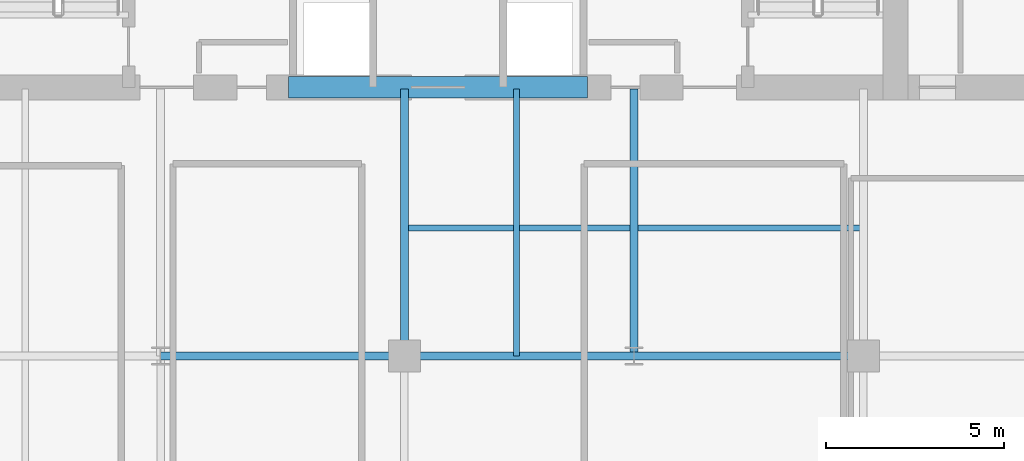
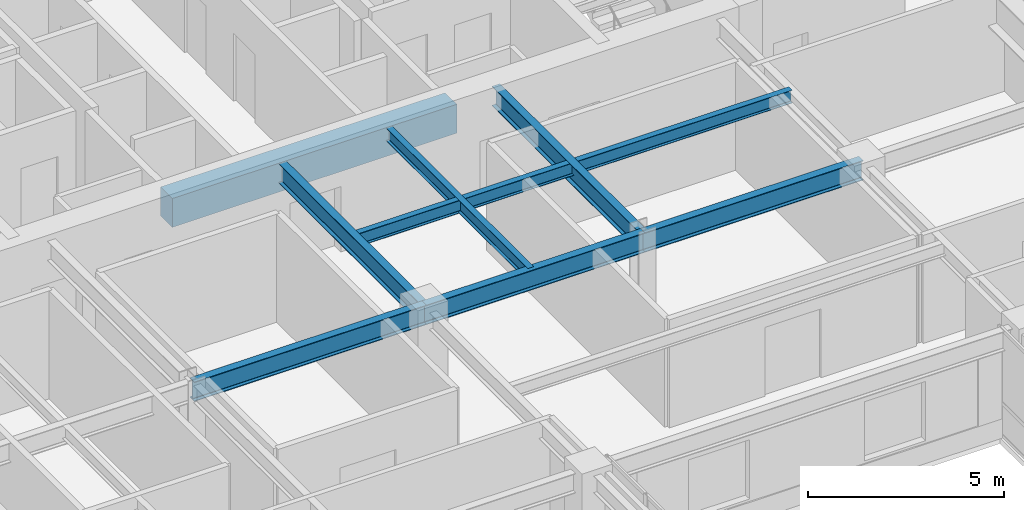
# One storey, part 13 of 37: 8 beams.
"""IFC4 building model written with IfcOpenShell, lengths in metres."""

from ifc_helpers import new_model, si_unit, direction, frame, origin, origin_2d, place, context, subcontext, project, spatial, rectangle, i_section, extrude, source, transform, mapped, material, material_profile, profile_set, type_object, type_shapes, element, save


model = new_model("IFC4")

# Units and contexts
model_context = context("Model", 3, precision=1e-05, world=origin(), true_north=direction((0.0, 1.0)))
body_context = subcontext(model_context, "Body", "Model", "MODEL_VIEW")
ifc_project = project(units=[si_unit("LENGTHUNIT", "METRE"), si_unit("AREAUNIT", "SQUARE_METRE"), si_unit("VOLUMEUNIT", "CUBIC_METRE"), si_unit("PLANEANGLEUNIT", "RADIAN"), si_unit("MASSUNIT", "GRAM", prefix="KILO")], contexts=[model_context])

# Site, building, storey
site_placement = place(None, origin())
site = spatial("IfcSite", under=ifc_project, at=site_placement, CompositionType="ELEMENT")
building_placement = place(site_placement, origin())
building = spatial("IfcBuilding", under=site, at=building_placement, Name="Tolvann Quenvar Hotel", CompositionType="ELEMENT")
storey_placement = place(building_placement, frame((0.0, 0.0, 104.449951171875)))
storey = spatial("IfcBuildingStorey", under=building, at=storey_placement, Name="L26", CompositionType="ELEMENT", Elevation=104.449951171875)

# Beams
ifc_material_1 = material(Name="Concrete N50 (50 MPa)", Category="concrete")
ifc_material_profile_1 = material_profile(ifc_material_1, rectangle(XDim=0.60009765625, YDim=0.89990234375, at=origin_2d()), Name="RC600x900")
ifc_profile_set_1 = profile_set([ifc_material_profile_1], Name="Concrete N50 (50 MPa)")
beam_type_1 = type_object("IfcBeamType", Name="BM_LINT_RC600x900", PredefinedType="LINTEL", material=ifc_profile_set_1)
shared_shape_1 = source(origin(), body_context, "Body", "SweptSolid", [
    extrude(rectangle(XDim=0.60009765625, YDim=0.89990234375, at=origin_2d()), origin(), (0.0, 0.0, 1.0), 8.39990234375),
])
type_shapes(beam_type_1, [shared_shape_1])
beam_1_placement = place(storey_placement, frame((18.800048828125, 31.949951171875, 2.920166015625), z_axis=(1.0, 0.0, 0.0), x_axis=(0.0, 1.0, 0.0)))
element("IfcBeam", 1, at=beam_1_placement, inside=storey, type_object=beam_type_1, Name="Core Coupling Lintel Beam (L26)", PredefinedType="LINTEL", context=body_context, shape_type="MappedRepresentation", body=[
    mapped(shared_shape_1, transform((0.0, 0.0, 0.0), x_axis=(1.0, 0.0, 0.0), y_axis=(0.0, 1.0, 0.0), z_axis=(0.0, 0.0, 1.0), scale=1.0)),
])
ifc_material_2 = material(Name="Steel Grade 350", Category="steel")
ifc_material_profile_2 = material_profile(ifc_material_2, i_section(OverallWidth=0.22900390625, OverallDepth=0.612060546875, WebThickness=0.011962890625, FlangeThickness=0.01953125, FilletRadius=0.013916015625, at=origin_2d()), Name="610UB125")
ifc_profile_set_2 = profile_set([ifc_material_profile_2], Name="Steel Grade 350")
beam_type_2 = type_object("IfcBeamType", Name="BM_GIRD_610UB125", PredefinedType="BEAM", material=ifc_profile_set_2)
shared_shape_2 = source(origin(), body_context, "Body", "SweptSolid", [
    extrude(i_section(OverallWidth=0.22900390625, OverallDepth=0.612060546875, WebThickness=0.011962890625, FlangeThickness=0.01953125, FilletRadius=0.013916015625, at=origin_2d()), origin(), (0.0, 0.0, 1.0), 6.85009765625),
])
beam_2_placement = place(storey_placement, frame((15.199951171875, 24.39990234375, 3.06396484375), z_axis=(1.0, 0.0, 0.0), x_axis=(0.0, 1.0, 0.0)))
element("IfcBeam", 2, at=beam_2_placement, inside=storey, type_object=beam_type_2, Name="BM-L26-EW-5-D5-E5", PredefinedType="BEAM", context=body_context, shape_type="MappedRepresentation", body=[
    mapped(shared_shape_2, transform((0.0, 0.0, 0.0), x_axis=(1.0, 0.0, 0.0), y_axis=(0.0, 1.0, 0.0), z_axis=(0.0, 0.0, 1.0), scale=1.0)),
])
shared_shape_3 = source(origin(), body_context, "Body", "SweptSolid", [
    extrude(i_section(OverallWidth=0.22900390625, OverallDepth=0.612060546875, WebThickness=0.011962890625, FlangeThickness=0.01953125, FilletRadius=0.013916015625, at=origin_2d()), origin(), (0.0, 0.0, 1.0), 6.449951171875),
])
for number, where, z_axis, x_axis, name in (
    (3, (22.050048828125, 24.39990234375, 3.06396484375), (1.0, 0.0, 0.0), (0.0, 1.0, 0.0), "BM-L26-EW-5-E5-M5"),
    (4, (28.5, 24.39990234375, 3.06396484375), (1.0, 0.0, 0.0), (0.0, 1.0, 0.0), "BM-L26-EW-5-M5-F5"),
):
    element("IfcBeam", number, at=place(storey_placement, frame(where, z_axis=z_axis, x_axis=x_axis)), inside=storey, type_object=beam_type_2, Name=name, PredefinedType="BEAM", context=body_context, shape_type="MappedRepresentation", body=[
        mapped(shared_shape_3, transform((0.0, 0.0, 0.0), x_axis=(1.0, 0.0, 0.0), y_axis=(0.0, 1.0, 0.0), z_axis=(0.0, 0.0, 1.0), scale=1.0)),
    ])
shared_shape_4 = source(origin(), body_context, "Body", "SweptSolid", [
    extrude(i_section(OverallWidth=0.22900390625, OverallDepth=0.612060546875, WebThickness=0.011962890625, FlangeThickness=0.01953125, FilletRadius=0.013916015625, at=origin_2d()), origin(), (0.0, 0.0, 1.0), 7.5),
])
type_shapes(beam_type_2, [shared_shape_2, shared_shape_3, shared_shape_4])
for number, where, z_axis, x_axis, name in (
    (5, (22.050048828125, 24.39990234375, 3.06396484375), (0.0, 1.0, 0.0), (-1.0, 0.0, 0.0), "BM-L26-CORE-E5"),
    (6, (28.5, 24.39990234375, 3.06396484375), (0.0, 1.0, 0.0), (-1.0, 0.0, 0.0), "BM-L26-CORE-M5"),
):
    element("IfcBeam", number, at=place(storey_placement, frame(where, z_axis=z_axis, x_axis=x_axis)), inside=storey, type_object=beam_type_2, Name=name, PredefinedType="BEAM", context=body_context, shape_type="MappedRepresentation", body=[
        mapped(shared_shape_4, transform((0.0, 0.0, 0.0), x_axis=(1.0, 0.0, 0.0), y_axis=(0.0, 1.0, 0.0), z_axis=(0.0, 0.0, 1.0), scale=1.0)),
    ])
ifc_material_profile_3 = material_profile(ifc_material_2, i_section(OverallWidth=0.177978515625, OverallDepth=0.406005859375, WebThickness=0.0078125, FlangeThickness=0.0126953125, FilletRadius=0.011474609375, at=origin_2d()), Name="410UB60")
ifc_profile_set_3 = profile_set([ifc_material_profile_3], Name="Steel Grade 350")
beam_type_3 = type_object("IfcBeamType", Name="BM_JOIST_410UB60", PredefinedType="JOIST", material=ifc_profile_set_3)
shared_shape_5 = source(origin(), body_context, "Body", "SweptSolid", [
    extrude(i_section(OverallWidth=0.177978515625, OverallDepth=0.406005859375, WebThickness=0.0078125, FlangeThickness=0.0126953125, FilletRadius=0.011474609375, at=origin_2d()), origin(), (0.0, 0.0, 1.0), 12.89990234375),
])
beam_3_placement = place(storey_placement, frame((22.050048828125, 28.0, 3.1669921875), z_axis=(1.0, 0.0, 0.0), x_axis=(0.0, 1.0, 0.0)))
element("IfcBeam", 7, at=beam_3_placement, inside=storey, type_object=beam_type_3, Name="BM-L26-SPINE-28", PredefinedType="JOIST", context=body_context, shape_type="MappedRepresentation", body=[
    mapped(shared_shape_5, transform((0.0, 0.0, 0.0), x_axis=(1.0, 0.0, 0.0), y_axis=(0.0, 1.0, 0.0), z_axis=(0.0, 0.0, 1.0), scale=1.0)),
])
shared_shape_6 = source(origin(), body_context, "Body", "SweptSolid", [
    extrude(i_section(OverallWidth=0.177978515625, OverallDepth=0.406005859375, WebThickness=0.0078125, FlangeThickness=0.0126953125, FilletRadius=0.011474609375, at=origin_2d()), origin(), (0.0, 0.0, 1.0), 7.5),
])
type_shapes(beam_type_3, [shared_shape_5, shared_shape_6])
beam_4_placement = place(storey_placement, frame((25.199951171875, 24.39990234375, 3.1669921875), z_axis=(0.0, 1.0, 0.0), x_axis=(-1.0, 0.0, 0.0)))
element("IfcBeam", 8, at=beam_4_placement, inside=storey, type_object=beam_type_3, Name="BJ-L26-252-244", PredefinedType="JOIST", context=body_context, shape_type="MappedRepresentation", body=[
    mapped(shared_shape_6, transform((0.0, 0.0, 0.0), x_axis=(1.0, 0.0, 0.0), y_axis=(0.0, 1.0, 0.0), z_axis=(0.0, 0.0, 1.0), scale=1.0)),
])

save(model, "model.ifc")
